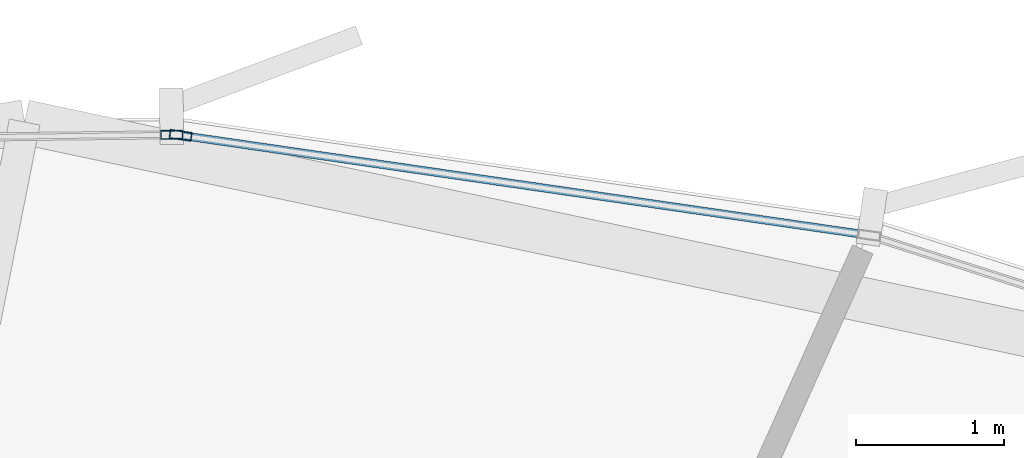
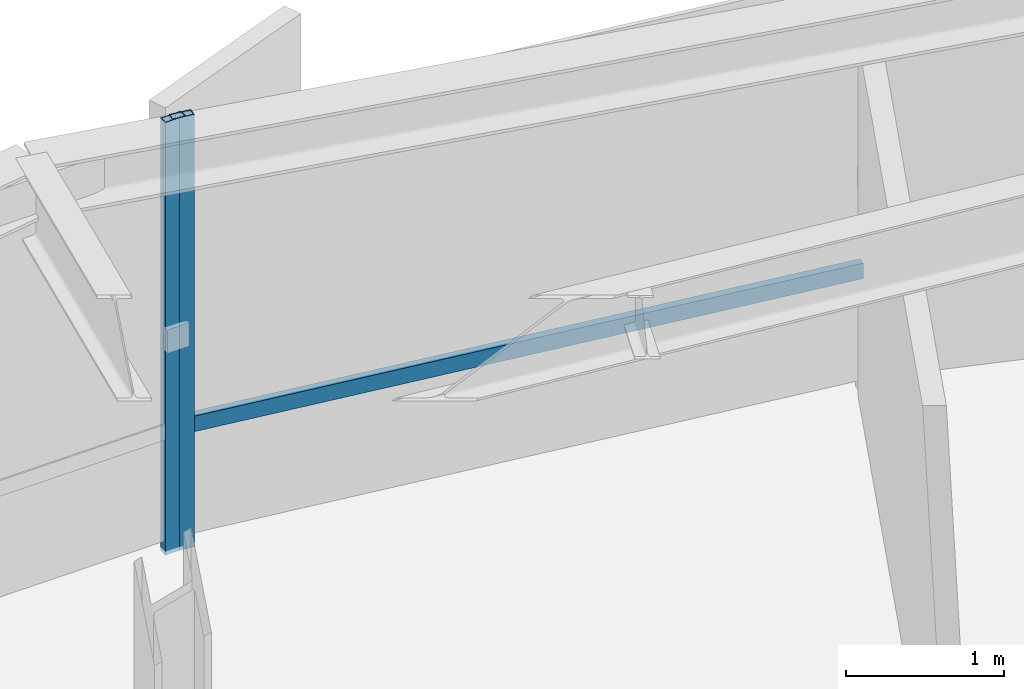
# One storey, part 27 of 35: 3 members, 2 elements without a shape of their own.
"""IFC4 building model written with IfcOpenShell, lengths in metres."""

from ifc_helpers import new_model, si_unit, direction, frame, origin, origin_2d, place, context, subcontext, project, spatial, hollow_rectangle, extrude, source, transform, mapped, material, layer, layer_set, material_profile, profile_set, type_object, element, aggregate, save


model = new_model("IFC4")

# Units and contexts
model_context = context("Model", 3, precision=1e-05, world=origin(), true_north=direction((0.0, 1.0)))
body_context = subcontext(model_context, "Body", "Model", "MODEL_VIEW")
ifc_project = project(units=[si_unit("LENGTHUNIT", "METRE"), si_unit("AREAUNIT", "SQUARE_METRE"), si_unit("VOLUMEUNIT", "CUBIC_METRE"), si_unit("PLANEANGLEUNIT", "RADIAN"), si_unit("MASSUNIT", "GRAM", prefix="KILO"), si_unit("THERMODYNAMICTEMPERATUREUNIT", "KELVIN")], contexts=[model_context])

# Site, building, storey
site_placement = place(None, origin())
site = spatial("IfcSite", under=ifc_project, at=site_placement, CompositionType="ELEMENT")
building_placement = place(site_placement, origin())
building = spatial("IfcBuilding", under=site, at=building_placement, Name="Kethvar Cultural Tower", CompositionType="ELEMENT")
storey_placement = place(building_placement, frame((0.0, 0.0, 121.60009765625)))
storey = spatial("IfcBuildingStorey", under=building, at=storey_placement, Name="L30", CompositionType="ELEMENT", Elevation=121.60009765625)

# Curtain wall, member
ifc_material = material(Name="Aluminium 6063-T6", Category="aluminium")
ifc_layer = layer(ifc_material, 0.179931640625, Name="Aluminium 6063-T6", Category="aluminium")
ifc_layer_set = layer_set([ifc_layer], Name="Aluminium 6063-T6 (180 mm)")
curtain_wall_type = type_object("IfcCurtainWallType", Name="CW-SYS-03-Z2", PredefinedType="NOTDEFINED", material=ifc_layer_set)
curtain_wall_1_placement = place(storey_placement, origin())
curtain_wall_1 = element("IfcCurtainWall", 1, at=curtain_wall_1_placement, inside=storey, type_object=curtain_wall_type, Name="L30 Curtain Wall Run 01", PredefinedType="NOTDEFINED")
ifc_material_profile_1 = material_profile(ifc_material, hollow_rectangle(XDim=0.06005859375, YDim=0.14990234375, WallThickness=0.0048828125, at=origin_2d()), Name="Aluminium 6063-T6 — RHS150x60x5")
ifc_profile_set_1 = profile_set([ifc_material_profile_1], Name="Aluminium 6063-T6 — RHS150x60x5")
member_type_1 = type_object("IfcMemberType", Name="CW-SYS-03-Z2-MUL", PredefinedType="MULLION", material=ifc_profile_set_1)
shared_shape_1 = source(origin(), body_context, "Body", "SweptSolid", [
    extrude(hollow_rectangle(XDim=0.06005859375, YDim=0.14990234375, WallThickness=0.0048828125, at=origin_2d()), origin(), (0.0, 0.0, 1.0), 3.349853515625),
])
member_1_placement = place(storey_placement, frame((52.664794921875, 51.912109375, 0.0), z_axis=(0.0, 0.0, 1.0), x_axis=(-0.143596257255, -0.989636354881, 0.0)))
member_1 = element("IfcMember", 2, at=member_1_placement, type_object=member_type_1, Name="CW-L30-R01 Mullion 7", PredefinedType="MULLION", context=body_context, shape_type="MappedRepresentation", body=[
    mapped(shared_shape_1, transform((0.0, 0.0, 0.0), scale=1.0)),
])

curtain_wall_2_placement = place(storey_placement, origin())
curtain_wall_2 = element("IfcCurtainWall", 3, at=curtain_wall_2_placement, inside=storey, type_object=curtain_wall_type, Name="L30 Curtain Wall Run 02", PredefinedType="NOTDEFINED")
member_2_placement = place(storey_placement, frame((52.60498046875, 51.916015625, 0.0), z_axis=(0.0, 0.0, 1.0), x_axis=(0.011867960299, -0.999929573279, 0.0)))
member_2 = element("IfcMember", 4, at=member_2_placement, type_object=member_type_1, Name="CW-L30-R02 Mullion 1", PredefinedType="MULLION", context=body_context, shape_type="MappedRepresentation", body=[
    mapped(shared_shape_1, transform((0.0, 0.0, 0.0), scale=1.0)),
])
aggregate(curtain_wall_2, [member_2])

# Member
ifc_material_profile_2 = material_profile(ifc_material, hollow_rectangle(XDim=0.054931640625, YDim=0.1201171875, WallThickness=0.00390625, at=origin_2d()), Name="Aluminium 6063-T6 — RHS120x55x4")
ifc_profile_set_2 = profile_set([ifc_material_profile_2], Name="Aluminium 6063-T6 — RHS120x55x4")
member_type_2 = type_object("IfcMemberType", Name="CW-SYS-03-Z2-TRN", PredefinedType="USERDEFINED", material=ifc_profile_set_2)
shared_shape_2 = source(origin(), body_context, "Body", "SweptSolid", [
    extrude(hollow_rectangle(XDim=0.054931640625, YDim=0.1201171875, WallThickness=0.00390625, at=origin_2d()), origin(), (0.0, 0.0, 1.0), 4.6396484375),
])
member_3_placement = place(storey_placement, frame((57.260498046875, 51.245361328125, 0.949951171875), z_axis=(-0.98963557808, 0.143601610708, 0.0), x_axis=(-0.143601610708, -0.98963557808, 0.0)))
member_3 = element("IfcMember", 5, at=member_3_placement, type_object=member_type_2, Name="CW-L30-R01 Transom 6", ObjectType="TRANSOM", PredefinedType="USERDEFINED", context=body_context, shape_type="MappedRepresentation", body=[
    mapped(shared_shape_2, transform((0.0, 0.0, 0.0), scale=1.0)),
])

aggregate(curtain_wall_1, [member_1, member_3])

save(model, "model.ifc")
